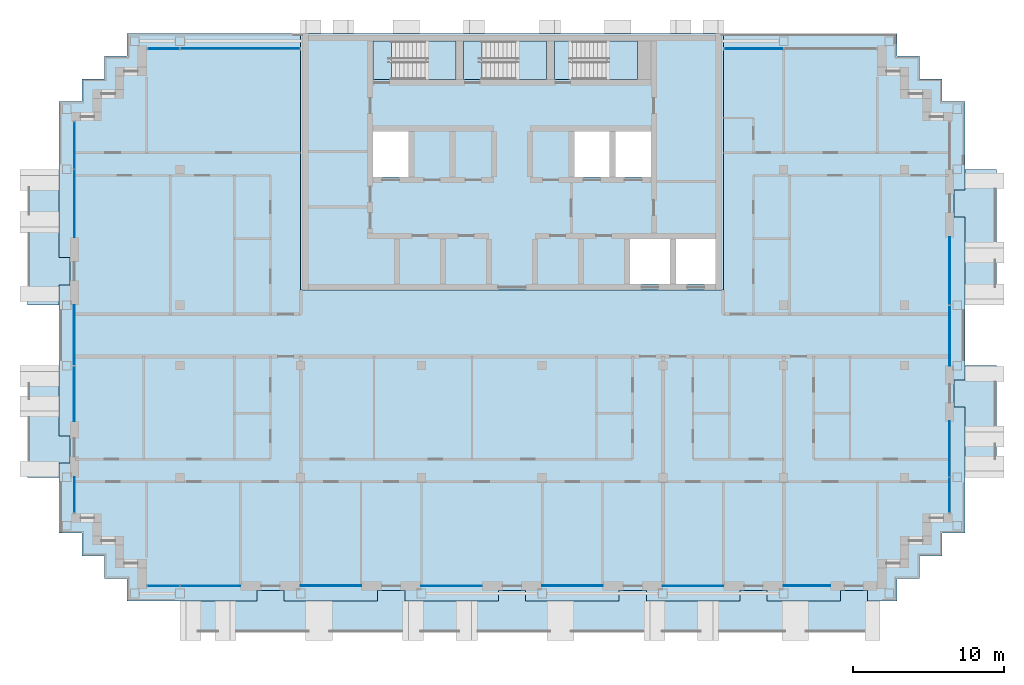
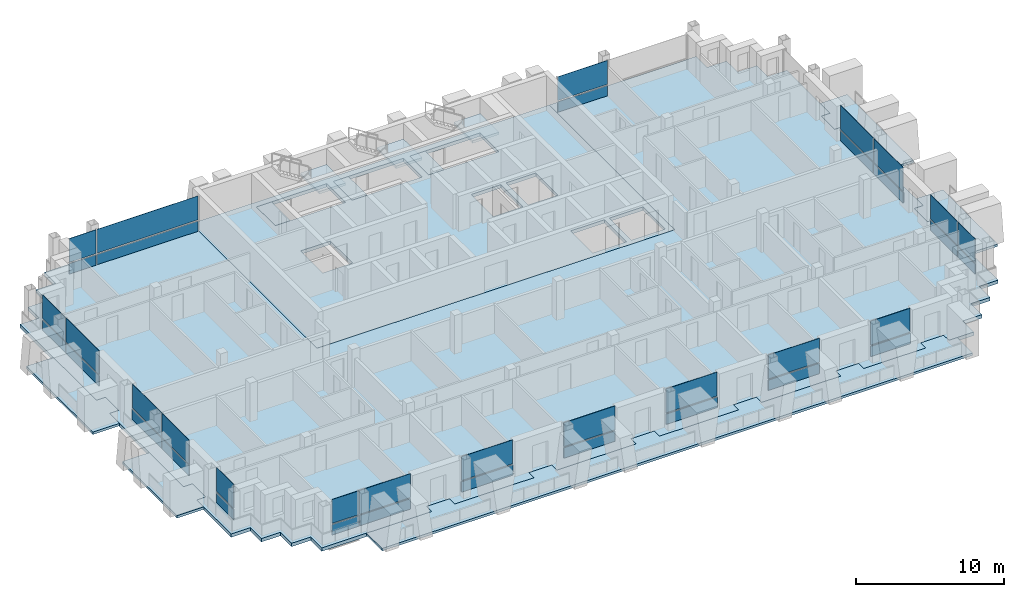
# One storey, part 6 of 16: 38 plates, 13 slabs, 16 elements without a shape of their own.
"""IFC4 building model written with IfcOpenShell, lengths in metres."""

from ifc_helpers import new_model, si_unit, direction, frame, origin, origin_2d, place, context, subcontext, project, spatial, polyline, rectangle, outline, extrude, material, layer, layer_set, type_object, element, aggregate, save


model = new_model("IFC4")

# Units and contexts
model_context = context("Model", 3, precision=1e-05, world=origin(), true_north=direction((0.0, 1.0)))
body_context = subcontext(model_context, "Body", "Model", "MODEL_VIEW")
ifc_project = project(units=[si_unit("LENGTHUNIT", "METRE"), si_unit("AREAUNIT", "SQUARE_METRE"), si_unit("VOLUMEUNIT", "CUBIC_METRE"), si_unit("PLANEANGLEUNIT", "RADIAN"), si_unit("MASSUNIT", "GRAM", prefix="KILO")], contexts=[model_context])

# Site, building, storey
site_placement = place(None, origin())
site = spatial("IfcSite", under=ifc_project, at=site_placement, CompositionType="ELEMENT")
building_placement = place(site_placement, origin())
building = spatial("IfcBuilding", under=site, at=building_placement, Name="Vidyagriha Tower", CompositionType="ELEMENT")
storey_placement = place(building_placement, frame((0.0, 0.0, 207.60009765625)))
storey = spatial("IfcBuildingStorey", under=building, at=storey_placement, Name="L53", CompositionType="ELEMENT", Elevation=207.60009765625)

# Curtain wall, plate
ifc_material_1 = material(Name="Aluminium and glass curtain wall", Category="aluminium")
curtain_wall_type = type_object("IfcCurtainWallType", Name="Dwelling skin unitised curtain wall", PredefinedType="USERDEFINED", material=ifc_material_1)
curtain_wall_1_placement = place(storey_placement, origin())
curtain_wall_1 = element("IfcCurtainWall", 1, at=curtain_wall_1_placement, inside=storey, type_object=curtain_wall_type, Name="CW1 dwelling skin", ObjectType="UNITISED", PredefinedType="USERDEFINED")
ifc_material_2 = material(Name="Glass dark ceramic-fritted spandrel", Category="glass")
ifc_layer_1 = layer(ifc_material_2, 0.0400390625)
ifc_layer_set_1 = layer_set([ifc_layer_1], Name="Glass dark ceramic-fritted spandrel")
plate_type_1 = type_object("IfcPlateType", Name="Ceramic-fritted spandrel panel", PredefinedType="CURTAIN_PANEL", material=ifc_layer_set_1)
plate_1_placement = place(storey_placement, frame((-18.017578125, 19.0, -0.000244140625), z_axis=(0.0, 0.0, 1.0), x_axis=(-1.0, 0.0, 0.0)))
plate_1 = element("IfcPlate", 2, at=plate_1_placement, type_object=plate_type_1, Name="CW1 panel 1.1", PredefinedType="CURTAIN_PANEL", context=body_context, shape_type="SweptSolid", body=[
    extrude(rectangle(XDim=7.89501953125, YDim=0.0400390625, at=origin_2d()), origin(), (0.0, 0.0, 1.0), 0.85009765625),
])

# Curtain wall, plates
curtain_wall_2_placement = place(storey_placement, origin())
curtain_wall_2 = element("IfcCurtainWall", 3, at=curtain_wall_2_placement, inside=storey, type_object=curtain_wall_type, Name="CW1 dwelling skin", ObjectType="UNITISED", PredefinedType="USERDEFINED")
plate_2_placement = place(storey_placement, frame((-29.0, 12.58251953125, -0.000244140625), z_axis=(0.0, 0.0, 1.0), x_axis=(0.0, -1.0, 0.0)))
plate_2 = element("IfcPlate", 4, at=plate_2_placement, type_object=plate_type_1, Name="CW1 panel 1.1", PredefinedType="CURTAIN_PANEL", context=body_context, shape_type="SweptSolid", body=[
    extrude(rectangle(XDim=3.094970703125, YDim=0.0400390625, at=origin_2d()), origin(), (0.0, 0.0, 1.0), 0.85009765625),
])
plate_3_placement = place(storey_placement, frame((-29.0, 8.732421875, -0.000244140625), z_axis=(0.0, 0.0, 1.0), x_axis=(0.0, -1.0, 0.0)))
plate_3 = element("IfcPlate", 5, at=plate_3_placement, type_object=plate_type_1, Name="CW1 panel 2.1", PredefinedType="CURTAIN_PANEL", context=body_context, shape_type="SweptSolid", body=[
    extrude(rectangle(XDim=4.465087890625, YDim=0.0400390625, at=origin_2d()), origin(), (0.0, 0.0, 1.0), 0.85009765625),
])

# Curtain wall, plate
curtain_wall_3_placement = place(storey_placement, origin())
curtain_wall_3 = element("IfcCurtainWall", 6, at=curtain_wall_3_placement, inside=storey, type_object=curtain_wall_type, Name="CW1 dwelling skin", ObjectType="UNITISED", PredefinedType="USERDEFINED")
plate_4_placement = place(storey_placement, frame((-29.0, -10.56494140625, -0.000244140625), z_axis=(0.0, 0.0, 1.0), x_axis=(0.0, -1.0, 0.0)))
plate_4 = element("IfcPlate", 7, at=plate_4_placement, type_object=plate_type_1, Name="CW1 panel 1.1", PredefinedType="CURTAIN_PANEL", context=body_context, shape_type="SweptSolid", body=[
    extrude(rectangle(XDim=2.330078125, YDim=0.0400390625, at=origin_2d()), origin(), (0.0, 0.0, 1.0), 0.85009765625),
])

# Curtain wall, plates
curtain_wall_4_placement = place(storey_placement, origin())
curtain_wall_4 = element("IfcCurtainWall", 8, at=curtain_wall_4_placement, inside=storey, type_object=curtain_wall_type, Name="CW1 dwelling skin", ObjectType="UNITISED", PredefinedType="USERDEFINED")
plate_5_placement = place(storey_placement, frame((-23.08251953125, -16.60009765625, -0.000244140625)))
plate_5 = element("IfcPlate", 9, at=plate_5_placement, type_object=plate_type_1, Name="CW1 panel 1.1", PredefinedType="CURTAIN_PANEL", context=body_context, shape_type="SweptSolid", body=[
    extrude(rectangle(XDim=2.094970703125, YDim=0.0400390625, at=origin_2d()), origin(), (0.0, 0.0, 1.0), 0.85009765625),
])
plate_6_placement = place(storey_placement, frame((-19.982421875, -16.60009765625, -0.000244140625)))
plate_6 = element("IfcPlate", 10, at=plate_6_placement, type_object=plate_type_1, Name="CW1 panel 2.1", PredefinedType="CURTAIN_PANEL", context=body_context, shape_type="SweptSolid", body=[
    extrude(rectangle(XDim=3.965087890625, YDim=0.0400390625, at=origin_2d()), origin(), (0.0, 0.0, 1.0), 0.85009765625),
])

# Curtain wall, plate
curtain_wall_5_placement = place(storey_placement, origin())
curtain_wall_5 = element("IfcCurtainWall", 11, at=curtain_wall_5_placement, inside=storey, type_object=curtain_wall_type, Name="CW1 dwelling skin", ObjectType="UNITISED", PredefinedType="USERDEFINED")
plate_7_placement = place(storey_placement, frame((-4.0, -16.60009765625, -0.000244140625)))
plate_7 = element("IfcPlate", 12, at=plate_7_placement, type_object=plate_type_1, Name="CW1 panel 1.1", PredefinedType="CURTAIN_PANEL", context=body_context, shape_type="SweptSolid", body=[
    extrude(rectangle(XDim=4.0, YDim=0.0400390625, at=origin_2d()), origin(), (0.0, 0.0, 1.0), 0.85009765625),
])

curtain_wall_6_placement = place(storey_placement, origin())
curtain_wall_6 = element("IfcCurtainWall", 13, at=curtain_wall_6_placement, inside=storey, type_object=curtain_wall_type, Name="CW1 dwelling skin", ObjectType="UNITISED", PredefinedType="USERDEFINED")
plate_8_placement = place(storey_placement, frame((12.0, -16.60009765625, -0.000244140625)))
plate_8 = element("IfcPlate", 14, at=plate_8_placement, type_object=plate_type_1, Name="CW1 panel 1.1", PredefinedType="CURTAIN_PANEL", context=body_context, shape_type="SweptSolid", body=[
    extrude(rectangle(XDim=4.0, YDim=0.0400390625, at=origin_2d()), origin(), (0.0, 0.0, 1.0), 0.85009765625),
])

# Curtain wall, plates
curtain_wall_7_placement = place(storey_placement, origin())
curtain_wall_7 = element("IfcCurtainWall", 15, at=curtain_wall_7_placement, inside=storey, type_object=curtain_wall_type, Name="CW1 dwelling skin", ObjectType="UNITISED", PredefinedType="USERDEFINED")
plate_9_placement = place(storey_placement, frame((29.0, -10.58251953125, -0.000244140625), z_axis=(0.0, 0.0, 1.0), x_axis=(0.0, 1.0, 0.0)))
plate_9 = element("IfcPlate", 16, at=plate_9_placement, type_object=plate_type_1, Name="CW1 panel 1.1", PredefinedType="CURTAIN_PANEL", context=body_context, shape_type="SweptSolid", body=[
    extrude(rectangle(XDim=2.294921875, YDim=0.0400390625, at=origin_2d()), origin(), (0.0, 0.0, 1.0), 0.85009765625),
])
plate_10_placement = place(storey_placement, frame((29.0, -7.532470703125, -0.000244140625), z_axis=(0.0, 0.0, 1.0), x_axis=(0.0, 1.0, 0.0)))
plate_10 = element("IfcPlate", 17, at=plate_10_placement, type_object=plate_type_1, Name="CW1 panel 2.1", PredefinedType="CURTAIN_PANEL", context=body_context, shape_type="SweptSolid", body=[
    extrude(rectangle(XDim=3.6650390625, YDim=0.0400390625, at=origin_2d()), origin(), (0.0, 0.0, 1.0), 0.85009765625),
])

# Slab
ifc_material_3 = material(Name="Concrete C60/75", Category="concrete")
ifc_layer_2 = layer(ifc_material_3, 0.280029296875)
ifc_layer_set_2 = layer_set([ifc_layer_2], Name="Concrete C60/75")
slab_type_1 = type_object("IfcSlabType", Name="Core floor slab 280 mm", PredefinedType="FLOOR", material=ifc_layer_set_2)
slab_1_placement = place(storey_placement, frame((0.0, 0.0, -0.280029296875)))
element("IfcSlab", 18, at=slab_1_placement, inside=storey, type_object=slab_type_1, Name="L53 core floor 1", PredefinedType="FLOOR", context=body_context, shape_type="SweptSolid", body=[
    extrude(outline(polyline([(-14.0, 3.0), (-14.0, 20.0), (14.0, 20.0), (14.0, 3.0), (-14.0, 3.0)]), holes=[polyline([(13.5, 6.39990234375), (10.855712890625, 6.39990234375), (10.855712890625, 3.39990234375), (13.5, 3.39990234375), (13.5, 6.39990234375)]), polyline([(10.45556640625, 6.39990234375), (7.81103515625, 6.39990234375), (7.81103515625, 3.39990234375), (10.45556640625, 3.39990234375), (10.45556640625, 6.39990234375)]), polyline([(9.199951171875, 13.5), (6.86669921875, 13.5), (6.86669921875, 10.5), (9.199951171875, 10.5), (9.199951171875, 13.5)]), polyline([(2.800048828125, 19.5), (2.800048828125, 16.949951171875), (4.0, 16.949951171875), (8.300048828125, 16.949951171875), (8.300048828125, 19.5), (4.0, 19.5), (2.800048828125, 19.5)]), polyline([(4.13330078125, 13.5), (4.13330078125, 10.5), (6.466796875, 10.5), (6.466796875, 13.5), (4.13330078125, 13.5)]), polyline([(-2.0, 19.5), (-3.199951171875, 19.5), (-3.199951171875, 16.949951171875), (-2.0, 16.949951171875), (2.300048828125, 16.949951171875), (2.300048828125, 19.5), (-2.0, 19.5)]), polyline([(-9.199951171875, 19.5), (-9.199951171875, 16.949951171875), (-8.0, 16.949951171875), (-3.699951171875, 16.949951171875), (-3.699951171875, 19.5), (-8.0, 19.5), (-9.199951171875, 19.5)]), polyline([(-9.199951171875, 13.5), (-9.199951171875, 10.5), (-6.86669921875, 10.5), (-6.86669921875, 13.5), (-9.199951171875, 13.5)])]), origin(), (0.0, 0.0, 1.0), 0.280029296875),
])

# Curtain wall, plate
curtain_wall_8_placement = place(storey_placement, origin())
curtain_wall_8 = element("IfcCurtainWall", 19, at=curtain_wall_8_placement, inside=storey, type_object=curtain_wall_type, Name="CW1 dwelling skin", ObjectType="UNITISED", PredefinedType="USERDEFINED")
ifc_material_4 = material(Name="Glass dark ceramic-fritted", Category="glass")
ifc_layer_3 = layer(ifc_material_4, 0.028076171875)
ifc_layer_set_3 = layer_set([ifc_layer_3], Name="Glass dark ceramic-fritted")
plate_type_2 = type_object("IfcPlateType", Name="Dark ceramic-fritted vision glass panel", PredefinedType="CURTAIN_PANEL", material=ifc_layer_set_3)
plate_11_placement = place(storey_placement, frame((16.017578125, 19.0, 0.94970703125), z_axis=(0.0, 0.0, 1.0), x_axis=(-1.0, 0.0, 0.0)))
plate_11 = element("IfcPlate", 20, at=plate_11_placement, type_object=plate_type_2, Name="CW1 panel 2.2", PredefinedType="CURTAIN_PANEL", context=body_context, shape_type="SweptSolid", body=[
    extrude(rectangle(XDim=3.89501953125, YDim=0.028076171875, at=origin_2d()), origin(), (0.0, 0.0, 1.0), 1.969970703125),
])

# Plate
plate_12_placement = place(storey_placement, frame((-18.017578125, 19.0, 0.94970703125), z_axis=(0.0, 0.0, 1.0), x_axis=(-1.0, 0.0, 0.0)))
plate_12 = element("IfcPlate", 21, at=plate_12_placement, type_object=plate_type_2, Name="CW1 panel 1.2", PredefinedType="CURTAIN_PANEL", context=body_context, shape_type="SweptSolid", body=[
    extrude(rectangle(XDim=7.89501953125, YDim=0.028076171875, at=origin_2d()), origin(), (0.0, 0.0, 1.0), 1.969970703125),
])

plate_13_placement = place(storey_placement, frame((-23.08251953125, 19.0, 0.94970703125), z_axis=(0.0, 0.0, 1.0), x_axis=(-1.0, 0.0, 0.0)))
plate_13 = element("IfcPlate", 22, at=plate_13_placement, type_object=plate_type_2, Name="CW1 panel 2.2", PredefinedType="CURTAIN_PANEL", context=body_context, shape_type="SweptSolid", body=[
    extrude(rectangle(XDim=2.094970703125, YDim=0.028076171875, at=origin_2d()), origin(), (0.0, 0.0, 1.0), 1.969970703125),
])

plate_14_placement = place(storey_placement, frame((-29.0, 12.58251953125, 0.94970703125), z_axis=(0.0, 0.0, 1.0), x_axis=(0.0, -1.0, 0.0)))
plate_14 = element("IfcPlate", 23, at=plate_14_placement, type_object=plate_type_2, Name="CW1 panel 1.2", PredefinedType="CURTAIN_PANEL", context=body_context, shape_type="SweptSolid", body=[
    extrude(rectangle(XDim=3.094970703125, YDim=0.028076171875, at=origin_2d()), origin(), (0.0, 0.0, 1.0), 1.969970703125),
])

plate_15_placement = place(storey_placement, frame((-29.0, 8.732421875, 0.94970703125), z_axis=(0.0, 0.0, 1.0), x_axis=(0.0, -1.0, 0.0)))
plate_15 = element("IfcPlate", 24, at=plate_15_placement, type_object=plate_type_2, Name="CW1 panel 2.2", PredefinedType="CURTAIN_PANEL", context=body_context, shape_type="SweptSolid", body=[
    extrude(rectangle(XDim=4.465087890625, YDim=0.028076171875, at=origin_2d()), origin(), (0.0, 0.0, 1.0), 1.969970703125),
])

aggregate(curtain_wall_2, [plate_2, plate_14, plate_3, plate_15])

# Curtain wall, plates
curtain_wall_9_placement = place(storey_placement, origin())
curtain_wall_9 = element("IfcCurtainWall", 25, at=curtain_wall_9_placement, inside=storey, type_object=curtain_wall_type, Name="CW1 dwelling skin", ObjectType="UNITISED", PredefinedType="USERDEFINED")
plate_16_placement = place(storey_placement, frame((-29.0, 0.017578125, 0.94970703125), z_axis=(0.0, 0.0, 1.0), x_axis=(0.0, -1.0, 0.0)))
plate_16 = element("IfcPlate", 26, at=plate_16_placement, type_object=plate_type_2, Name="CW1 panel 1.2", PredefinedType="CURTAIN_PANEL", context=body_context, shape_type="SweptSolid", body=[
    extrude(rectangle(XDim=3.965087890625, YDim=0.028076171875, at=origin_2d()), origin(), (0.0, 0.0, 1.0), 1.969970703125),
])
plate_17_placement = place(storey_placement, frame((-29.0, -3.867431640625, 0.94970703125), z_axis=(0.0, 0.0, 1.0), x_axis=(0.0, -1.0, 0.0)))
plate_17 = element("IfcPlate", 27, at=plate_17_placement, type_object=plate_type_2, Name="CW1 panel 2.2", PredefinedType="CURTAIN_PANEL", context=body_context, shape_type="SweptSolid", body=[
    extrude(rectangle(XDim=3.6650390625, YDim=0.028076171875, at=origin_2d()), origin(), (0.0, 0.0, 1.0), 1.969970703125),
])

# Plate
plate_18_placement = place(storey_placement, frame((-29.0, -10.56494140625, 0.94970703125), z_axis=(0.0, 0.0, 1.0), x_axis=(0.0, -1.0, 0.0)))
plate_18 = element("IfcPlate", 28, at=plate_18_placement, type_object=plate_type_2, Name="CW1 panel 1.2", PredefinedType="CURTAIN_PANEL", context=body_context, shape_type="SweptSolid", body=[
    extrude(rectangle(XDim=2.330078125, YDim=0.028076171875, at=origin_2d()), origin(), (0.0, 0.0, 1.0), 1.969970703125),
])

aggregate(curtain_wall_3, [plate_4, plate_18])

plate_19_placement = place(storey_placement, frame((-23.08251953125, -16.60009765625, 0.94970703125)))
plate_19 = element("IfcPlate", 29, at=plate_19_placement, type_object=plate_type_2, Name="CW1 panel 1.2", PredefinedType="CURTAIN_PANEL", context=body_context, shape_type="SweptSolid", body=[
    extrude(rectangle(XDim=2.094970703125, YDim=0.028076171875, at=origin_2d()), origin(), (0.0, 0.0, 1.0), 1.969970703125),
])

plate_20_placement = place(storey_placement, frame((-19.982421875, -16.60009765625, 0.94970703125)))
plate_20 = element("IfcPlate", 30, at=plate_20_placement, type_object=plate_type_2, Name="CW1 panel 2.2", PredefinedType="CURTAIN_PANEL", context=body_context, shape_type="SweptSolid", body=[
    extrude(rectangle(XDim=3.965087890625, YDim=0.028076171875, at=origin_2d()), origin(), (0.0, 0.0, 1.0), 1.969970703125),
])

aggregate(curtain_wall_4, [plate_5, plate_19, plate_6, plate_20])

# Curtain wall, plate
curtain_wall_10_placement = place(storey_placement, origin())
curtain_wall_10 = element("IfcCurtainWall", 31, at=curtain_wall_10_placement, inside=storey, type_object=curtain_wall_type, Name="CW1 dwelling skin", ObjectType="UNITISED", PredefinedType="USERDEFINED")
plate_21_placement = place(storey_placement, frame((-12.0, -16.60009765625, 0.94970703125)))
plate_21 = element("IfcPlate", 32, at=plate_21_placement, type_object=plate_type_2, Name="CW1 panel 1.2", PredefinedType="CURTAIN_PANEL", context=body_context, shape_type="SweptSolid", body=[
    extrude(rectangle(XDim=4.0, YDim=0.028076171875, at=origin_2d()), origin(), (0.0, 0.0, 1.0), 1.969970703125),
])

# Plate
plate_22_placement = place(storey_placement, frame((-4.0, -16.60009765625, 0.94970703125)))
plate_22 = element("IfcPlate", 33, at=plate_22_placement, type_object=plate_type_2, Name="CW1 panel 1.2", PredefinedType="CURTAIN_PANEL", context=body_context, shape_type="SweptSolid", body=[
    extrude(rectangle(XDim=4.0, YDim=0.028076171875, at=origin_2d()), origin(), (0.0, 0.0, 1.0), 1.969970703125),
])

aggregate(curtain_wall_5, [plate_7, plate_22])

# Curtain wall, plate
curtain_wall_11_placement = place(storey_placement, origin())
curtain_wall_11 = element("IfcCurtainWall", 34, at=curtain_wall_11_placement, inside=storey, type_object=curtain_wall_type, Name="CW1 dwelling skin", ObjectType="UNITISED", PredefinedType="USERDEFINED")
plate_23_placement = place(storey_placement, frame((4.0, -16.60009765625, 0.94970703125)))
plate_23 = element("IfcPlate", 35, at=plate_23_placement, type_object=plate_type_2, Name="CW1 panel 1.2", PredefinedType="CURTAIN_PANEL", context=body_context, shape_type="SweptSolid", body=[
    extrude(rectangle(XDim=4.0, YDim=0.028076171875, at=origin_2d()), origin(), (0.0, 0.0, 1.0), 1.969970703125),
])

# Plate
plate_24_placement = place(storey_placement, frame((12.0, -16.60009765625, 0.94970703125)))
plate_24 = element("IfcPlate", 36, at=plate_24_placement, type_object=plate_type_2, Name="CW1 panel 1.2", PredefinedType="CURTAIN_PANEL", context=body_context, shape_type="SweptSolid", body=[
    extrude(rectangle(XDim=4.0, YDim=0.028076171875, at=origin_2d()), origin(), (0.0, 0.0, 1.0), 1.969970703125),
])

aggregate(curtain_wall_6, [plate_8, plate_24])

# Curtain wall, plate
curtain_wall_12_placement = place(storey_placement, origin())
curtain_wall_12 = element("IfcCurtainWall", 37, at=curtain_wall_12_placement, inside=storey, type_object=curtain_wall_type, Name="CW1 dwelling skin", ObjectType="UNITISED", PredefinedType="USERDEFINED")
plate_25_placement = place(storey_placement, frame((19.550048828125, -16.60009765625, 0.94970703125)))
plate_25 = element("IfcPlate", 38, at=plate_25_placement, type_object=plate_type_2, Name="CW1 panel 1.2", PredefinedType="CURTAIN_PANEL", context=body_context, shape_type="SweptSolid", body=[
    extrude(rectangle(XDim=3.10009765625, YDim=0.028076171875, at=origin_2d()), origin(), (0.0, 0.0, 1.0), 1.969970703125),
])

# Plate
plate_26_placement = place(storey_placement, frame((29.0, -10.58251953125, 0.94970703125), z_axis=(0.0, 0.0, 1.0), x_axis=(0.0, 1.0, 0.0)))
plate_26 = element("IfcPlate", 39, at=plate_26_placement, type_object=plate_type_2, Name="CW1 panel 1.2", PredefinedType="CURTAIN_PANEL", context=body_context, shape_type="SweptSolid", body=[
    extrude(rectangle(XDim=2.294921875, YDim=0.028076171875, at=origin_2d()), origin(), (0.0, 0.0, 1.0), 1.969970703125),
])

plate_27_placement = place(storey_placement, frame((29.0, -7.532470703125, 0.94970703125), z_axis=(0.0, 0.0, 1.0), x_axis=(0.0, 1.0, 0.0)))
plate_27 = element("IfcPlate", 40, at=plate_27_placement, type_object=plate_type_2, Name="CW1 panel 2.2", PredefinedType="CURTAIN_PANEL", context=body_context, shape_type="SweptSolid", body=[
    extrude(rectangle(XDim=3.6650390625, YDim=0.028076171875, at=origin_2d()), origin(), (0.0, 0.0, 1.0), 1.969970703125),
])

aggregate(curtain_wall_7, [plate_9, plate_26, plate_10, plate_27])

# Curtain wall, plates
curtain_wall_13_placement = place(storey_placement, origin())
curtain_wall_13 = element("IfcCurtainWall", 41, at=curtain_wall_13_placement, inside=storey, type_object=curtain_wall_type, Name="CW1 dwelling skin", ObjectType="UNITISED", PredefinedType="USERDEFINED")
plate_28_placement = place(storey_placement, frame((29.0, -0.017578125, 0.94970703125), z_axis=(0.0, 0.0, 1.0), x_axis=(0.0, 1.0, 0.0)))
plate_28 = element("IfcPlate", 42, at=plate_28_placement, type_object=plate_type_2, Name="CW1 panel 1.2", PredefinedType="CURTAIN_PANEL", context=body_context, shape_type="SweptSolid", body=[
    extrude(rectangle(XDim=3.965087890625, YDim=0.028076171875, at=origin_2d()), origin(), (0.0, 0.0, 1.0), 1.969970703125),
])
plate_29_placement = place(storey_placement, frame((29.0, 4.267578125, 0.94970703125), z_axis=(0.0, 0.0, 1.0), x_axis=(0.0, 1.0, 0.0)))
plate_29 = element("IfcPlate", 43, at=plate_29_placement, type_object=plate_type_2, Name="CW1 panel 2.2", PredefinedType="CURTAIN_PANEL", context=body_context, shape_type="SweptSolid", body=[
    extrude(rectangle(XDim=4.465087890625, YDim=0.028076171875, at=origin_2d()), origin(), (0.0, 0.0, 1.0), 1.969970703125),
])

# Slabs
ifc_material_5 = material(Name="Concrete C40/50", Category="concrete")
ifc_layer_4 = layer(ifc_material_5, 0.280029296875)
ifc_layer_set_4 = layer_set([ifc_layer_4], Name="Concrete C40/50")
slab_type_2 = type_object("IfcSlabType", Name="Exit stair floor landing 280 mm", PredefinedType="LANDING", material=ifc_layer_set_4)
slab_2_placement = place(storey_placement, frame((0.0, 0.0, -0.280029296875)))
element("IfcSlab", 44, at=slab_2_placement, inside=storey, type_object=slab_type_2, Name="ST1 floor landing L53", PredefinedType="LANDING", context=body_context, shape_type="SweptSolid", body=[
    extrude(outline(polyline([(-9.199951171875, 16.949951171875), (-8.0, 16.949951171875), (-8.0, 19.5), (-9.199951171875, 19.5), (-9.199951171875, 16.949951171875)])), origin(), (0.0, 0.0, 1.0), 0.280029296875),
])
slab_3_placement = place(storey_placement, frame((0.0, 0.0, -0.280029296875)))
element("IfcSlab", 45, at=slab_3_placement, inside=storey, type_object=slab_type_2, Name="ST2 floor landing L53", PredefinedType="LANDING", context=body_context, shape_type="SweptSolid", body=[
    extrude(outline(polyline([(-3.199951171875, 16.949951171875), (-2.0, 16.949951171875), (-2.0, 19.5), (-3.199951171875, 19.5), (-3.199951171875, 16.949951171875)])), origin(), (0.0, 0.0, 1.0), 0.280029296875),
])
slab_4_placement = place(storey_placement, frame((0.0, 0.0, -0.280029296875)))
element("IfcSlab", 46, at=slab_4_placement, inside=storey, type_object=slab_type_2, Name="ST3 floor landing L53", PredefinedType="LANDING", context=body_context, shape_type="SweptSolid", body=[
    extrude(outline(polyline([(2.800048828125, 16.949951171875), (4.0, 16.949951171875), (4.0, 19.5), (2.800048828125, 19.5), (2.800048828125, 16.949951171875)])), origin(), (0.0, 0.0, 1.0), 0.280029296875),
])

# Stair, slab
ifc_material_6 = material(Name="Concrete C40/50", Category="concrete")
stair_type = type_object("IfcStairType", Name="Exit stair, half-turn, precast flights", PredefinedType="HALF_TURN_STAIR", material=ifc_material_6)
stair_1_placement = place(storey_placement, origin())
stair_1 = element("IfcStair", 47, at=stair_1_placement, inside=storey, type_object=stair_type, Name="L53 Exit Stair ST1", PredefinedType="HALF_TURN_STAIR")
ifc_material_7 = material(Name="Concrete C40/50", Category="concrete")
ifc_layer_5 = layer(ifc_material_7, 0.199951171875)
ifc_layer_set_5 = layer_set([ifc_layer_5], Name="Concrete C40/50")
slab_type_3 = type_object("IfcSlabType", Name="Exit stair landing 200 mm", PredefinedType="LANDING", material=ifc_layer_set_5)
slab_5_placement = place(storey_placement, frame((0.0, 0.0, 1.39990234375)))
slab_5 = element("IfcSlab", 48, at=slab_5_placement, type_object=slab_type_3, Name="ST1 landing 1", PredefinedType="LANDING", context=body_context, shape_type="SweptSolid", body=[
    extrude(outline(polyline([(-5.760009765625, 16.949951171875), (-3.699951171875, 16.949951171875), (-3.699951171875, 19.5), (-5.760009765625, 19.5), (-5.760009765625, 16.949951171875)])), origin(), (0.0, 0.0, 1.0), 0.199951171875),
])
aggregate(stair_1, [slab_5])

stair_2_placement = place(storey_placement, origin())
stair_2 = element("IfcStair", 49, at=stair_2_placement, inside=storey, type_object=stair_type, Name="L53 Exit Stair ST2", PredefinedType="HALF_TURN_STAIR")
slab_6_placement = place(storey_placement, frame((0.0, 0.0, 1.39990234375)))
slab_6 = element("IfcSlab", 50, at=slab_6_placement, type_object=slab_type_3, Name="ST2 landing 1", PredefinedType="LANDING", context=body_context, shape_type="SweptSolid", body=[
    extrude(outline(polyline([(0.239990234375, 16.949951171875), (2.300048828125, 16.949951171875), (2.300048828125, 19.5), (0.239990234375, 19.5), (0.239990234375, 16.949951171875)])), origin(), (0.0, 0.0, 1.0), 0.199951171875),
])
aggregate(stair_2, [slab_6])

stair_3_placement = place(storey_placement, origin())
stair_3 = element("IfcStair", 51, at=stair_3_placement, inside=storey, type_object=stair_type, Name="L53 Exit Stair ST3", PredefinedType="HALF_TURN_STAIR")
slab_7_placement = place(storey_placement, frame((0.0, 0.0, 1.39990234375)))
slab_7 = element("IfcSlab", 52, at=slab_7_placement, type_object=slab_type_3, Name="ST3 landing 1", PredefinedType="LANDING", context=body_context, shape_type="SweptSolid", body=[
    extrude(outline(polyline([(6.239990234375, 16.949951171875), (8.300048828125, 16.949951171875), (8.300048828125, 19.5), (6.239990234375, 19.5), (6.239990234375, 16.949951171875)])), origin(), (0.0, 0.0, 1.0), 0.199951171875),
])
aggregate(stair_3, [slab_7])

# Plate
ifc_material_8 = material(Name="Aluminium black anodised", Category="aluminium")
ifc_layer_6 = layer(ifc_material_8, 0.06005859375)
ifc_layer_set_6 = layer_set([ifc_layer_6], Name="Aluminium black anodised")
plate_type_3 = type_object("IfcPlateType", Name="Operable black-metal vent panel", PredefinedType="CURTAIN_PANEL", material=ifc_layer_set_6)
plate_30_placement = place(storey_placement, frame((16.017578125, 19.0, -0.000244140625), z_axis=(0.0, 0.0, 1.0), x_axis=(-1.0, 0.0, 0.0)))
plate_30 = element("IfcPlate", 53, at=plate_30_placement, type_object=plate_type_3, Name="CW1 panel 2.1", PredefinedType="CURTAIN_PANEL", context=body_context, shape_type="SweptSolid", body=[
    extrude(rectangle(XDim=3.89501953125, YDim=0.06005859375, at=origin_2d()), origin(), (0.0, 0.0, 1.0), 0.85009765625),
])

aggregate(curtain_wall_8, [plate_30, plate_11])

plate_31_placement = place(storey_placement, frame((-23.08251953125, 19.0, -0.000244140625), z_axis=(0.0, 0.0, 1.0), x_axis=(-1.0, 0.0, 0.0)))
plate_31 = element("IfcPlate", 54, at=plate_31_placement, type_object=plate_type_3, Name="CW1 panel 2.1", PredefinedType="CURTAIN_PANEL", context=body_context, shape_type="SweptSolid", body=[
    extrude(rectangle(XDim=2.094970703125, YDim=0.06005859375, at=origin_2d()), origin(), (0.0, 0.0, 1.0), 0.85009765625),
])

aggregate(curtain_wall_1, [plate_1, plate_12, plate_31, plate_13])

plate_32_placement = place(storey_placement, frame((-29.0, 0.017578125, -0.000244140625), z_axis=(0.0, 0.0, 1.0), x_axis=(0.0, -1.0, 0.0)))
plate_32 = element("IfcPlate", 55, at=plate_32_placement, type_object=plate_type_3, Name="CW1 panel 1.1", PredefinedType="CURTAIN_PANEL", context=body_context, shape_type="SweptSolid", body=[
    extrude(rectangle(XDim=3.965087890625, YDim=0.06005859375, at=origin_2d()), origin(), (0.0, 0.0, 1.0), 0.85009765625),
])

plate_33_placement = place(storey_placement, frame((-29.0, -3.867431640625, -0.000244140625), z_axis=(0.0, 0.0, 1.0), x_axis=(0.0, -1.0, 0.0)))
plate_33 = element("IfcPlate", 56, at=plate_33_placement, type_object=plate_type_3, Name="CW1 panel 2.1", PredefinedType="CURTAIN_PANEL", context=body_context, shape_type="SweptSolid", body=[
    extrude(rectangle(XDim=3.6650390625, YDim=0.06005859375, at=origin_2d()), origin(), (0.0, 0.0, 1.0), 0.85009765625),
])

aggregate(curtain_wall_9, [plate_32, plate_16, plate_33, plate_17])

plate_34_placement = place(storey_placement, frame((-12.0, -16.60009765625, -0.000244140625)))
plate_34 = element("IfcPlate", 57, at=plate_34_placement, type_object=plate_type_3, Name="CW1 panel 1.1", PredefinedType="CURTAIN_PANEL", context=body_context, shape_type="SweptSolid", body=[
    extrude(rectangle(XDim=4.0, YDim=0.06005859375, at=origin_2d()), origin(), (0.0, 0.0, 1.0), 0.85009765625),
])

aggregate(curtain_wall_10, [plate_34, plate_21])

plate_35_placement = place(storey_placement, frame((4.0, -16.60009765625, -0.000244140625)))
plate_35 = element("IfcPlate", 58, at=plate_35_placement, type_object=plate_type_3, Name="CW1 panel 1.1", PredefinedType="CURTAIN_PANEL", context=body_context, shape_type="SweptSolid", body=[
    extrude(rectangle(XDim=4.0, YDim=0.06005859375, at=origin_2d()), origin(), (0.0, 0.0, 1.0), 0.85009765625),
])

aggregate(curtain_wall_11, [plate_35, plate_23])

plate_36_placement = place(storey_placement, frame((19.550048828125, -16.60009765625, -0.000244140625)))
plate_36 = element("IfcPlate", 59, at=plate_36_placement, type_object=plate_type_3, Name="CW1 panel 1.1", PredefinedType="CURTAIN_PANEL", context=body_context, shape_type="SweptSolid", body=[
    extrude(rectangle(XDim=3.10009765625, YDim=0.06005859375, at=origin_2d()), origin(), (0.0, 0.0, 1.0), 0.85009765625),
])

aggregate(curtain_wall_12, [plate_36, plate_25])

plate_37_placement = place(storey_placement, frame((29.0, -0.017578125, -0.000244140625), z_axis=(0.0, 0.0, 1.0), x_axis=(0.0, 1.0, 0.0)))
plate_37 = element("IfcPlate", 60, at=plate_37_placement, type_object=plate_type_3, Name="CW1 panel 1.1", PredefinedType="CURTAIN_PANEL", context=body_context, shape_type="SweptSolid", body=[
    extrude(rectangle(XDim=3.965087890625, YDim=0.06005859375, at=origin_2d()), origin(), (0.0, 0.0, 1.0), 0.85009765625),
])

plate_38_placement = place(storey_placement, frame((29.0, 4.267578125, -0.000244140625), z_axis=(0.0, 0.0, 1.0), x_axis=(0.0, 1.0, 0.0)))
plate_38 = element("IfcPlate", 61, at=plate_38_placement, type_object=plate_type_3, Name="CW1 panel 2.1", PredefinedType="CURTAIN_PANEL", context=body_context, shape_type="SweptSolid", body=[
    extrude(rectangle(XDim=4.465087890625, YDim=0.06005859375, at=origin_2d()), origin(), (0.0, 0.0, 1.0), 0.85009765625),
])

aggregate(curtain_wall_13, [plate_37, plate_28, plate_38, plate_29])

# Slabs
ifc_material_9 = material(Name="Concrete C50/60", Category="concrete")
ifc_layer_7 = layer(ifc_material_9, 0.280029296875)
ifc_layer_set_7 = layer_set([ifc_layer_7], Name="Concrete C50/60")
slab_type_4 = type_object("IfcSlabType", Name="Post-tensioned flat plate 280", PredefinedType="FLOOR", material=ifc_layer_set_7)
slab_8_placement = place(storey_placement, frame((0.0, 0.0, -0.280029296875)))
element("IfcSlab", 62, at=slab_8_placement, inside=storey, type_object=slab_type_4, Name="st-slab-L53-1", PredefinedType="FLOOR", context=body_context, shape_type="SweptSolid", body=[
    extrude(outline(polyline([(28.5, -14.60009765625), (27.0, -14.60009765625), (27.0, -16.10009765625), (25.5, -16.10009765625), (25.5, -17.60009765625), (23.550048828125, -17.60009765625), (23.550048828125, -16.89990234375), (21.75, -16.89990234375), (21.75, -17.60009765625), (16.89990234375, -17.60009765625), (16.89990234375, -16.89990234375), (15.10009765625, -16.89990234375), (15.10009765625, -17.60009765625), (8.89990234375, -17.60009765625), (8.89990234375, -16.89990234375), (7.10009765625, -16.89990234375), (7.10009765625, -17.60009765625), (0.89990234375, -17.60009765625), (0.89990234375, -16.89990234375), (-0.89990234375, -16.89990234375), (-0.89990234375, -17.60009765625), (-7.10009765625, -17.60009765625), (-7.10009765625, -16.89990234375), (-8.89990234375, -16.89990234375), (-8.89990234375, -17.60009765625), (-15.10009765625, -17.60009765625), (-15.10009765625, -16.89990234375), (-16.89990234375, -16.89990234375), (-16.89990234375, -17.60009765625), (-25.5, -17.60009765625), (-25.5, -16.10009765625), (-27.0, -16.10009765625), (-27.0, -14.60009765625), (-28.5, -14.60009765625), (-28.5, -13.10009765625), (-30.0, -13.10009765625), (-30.0, -8.449951171875), (-29.300048828125, -8.449951171875), (-29.300048828125, -6.64990234375), (-30.0, -6.64990234375), (-30.0, 3.35009765625), (-29.300048828125, 3.35009765625), (-29.300048828125, 5.14990234375), (-30.0, 5.14990234375), (-30.0, 15.5), (-28.5, 15.5), (-28.5, 17.0), (-27.0, 17.0), (-27.0, 18.5), (-25.5, 18.5), (-25.5, 20.0), (-14.0, 20.0), (-14.0, 3.0), (14.0, 3.0), (14.0, 20.0), (25.5, 20.0), (25.5, 18.5), (27.0, 18.5), (27.0, 17.0), (28.5, 17.0), (28.5, 15.5), (30.0, 15.5), (30.0, 9.64990234375), (29.300048828125, 9.64990234375), (29.300048828125, 7.85009765625), (30.0, 7.85009765625), (30.0, -2.949951171875), (29.300048828125, -2.949951171875), (29.300048828125, -4.75), (30.0, -4.75), (30.0, -13.10009765625), (28.5, -13.10009765625), (28.5, -14.60009765625)])), origin(), (0.0, 0.0, 1.0), 0.280029296875),
])
ifc_material_10 = material(Name="Precast concrete C40/50", Category="concrete")
ifc_layer_8 = layer(ifc_material_10, 0.199951171875)
ifc_layer_set_8 = layer_set([ifc_layer_8], Name="Precast concrete C40/50")
slab_type_5 = type_object("IfcSlabType", Name="Precast balcony slab 200", PredefinedType="USERDEFINED", material=ifc_layer_set_8)
slab_9_placement = place(storey_placement, frame((0.0, 0.0, -0.2001953125)))
element("IfcSlab", 63, at=slab_9_placement, inside=storey, type_object=slab_type_5, Name="Balcony slab L53 R16.1-1", ObjectType="BALCONY", PredefinedType="USERDEFINED", context=body_context, shape_type="SweptSolid", body=[
    extrude(outline(polyline([(-29.300048828125, 3.35009765625), (-29.300048828125, 5.14990234375), (-30.0, 5.14990234375), (-30.0, 11.0), (-32.10009765625, 11.0), (-32.10009765625, 2.0), (-30.0, 2.0), (-30.0, 3.35009765625), (-29.300048828125, 3.35009765625)])), origin(), (0.0, 0.0, 1.0), 0.2001953125),
])
slab_10_placement = place(storey_placement, frame((0.0, 0.0, -0.2001953125)))
element("IfcSlab", 64, at=slab_10_placement, inside=storey, type_object=slab_type_5, Name="Balcony slab L53 R16.2-2", ObjectType="BALCONY", PredefinedType="USERDEFINED", context=body_context, shape_type="SweptSolid", body=[
    extrude(outline(polyline([(-29.300048828125, -8.449951171875), (-29.300048828125, -6.64990234375), (-30.0, -6.64990234375), (-30.0, -2.0), (-32.10009765625, -2.0), (-32.10009765625, -9.39990234375), (-30.0, -9.39990234375), (-30.0, -8.449951171875), (-29.300048828125, -8.449951171875)])), origin(), (0.0, 0.0, 1.0), 0.2001953125),
])
slab_11_placement = place(storey_placement, frame((0.0, 0.0, -0.2001953125)))
element("IfcSlab", 65, at=slab_11_placement, inside=storey, type_object=slab_type_5, Name="Balcony slab L53 R23.1-6", ObjectType="BALCONY", PredefinedType="USERDEFINED", context=body_context, shape_type="SweptSolid", body=[
    extrude(outline(polyline([(-16.89990234375, -16.89990234375), (-16.89990234375, -17.60009765625), (-22.0, -17.60009765625), (-22.0, -19.699951171875), (24.199951171875, -19.699951171875), (24.199951171875, -17.60009765625), (23.550048828125, -17.60009765625), (23.550048828125, -16.89990234375), (21.75, -16.89990234375), (21.75, -17.60009765625), (16.89990234375, -17.60009765625), (16.89990234375, -16.89990234375), (15.10009765625, -16.89990234375), (15.10009765625, -17.60009765625), (8.89990234375, -17.60009765625), (8.89990234375, -16.89990234375), (7.10009765625, -16.89990234375), (7.10009765625, -17.60009765625), (0.89990234375, -17.60009765625), (0.89990234375, -16.89990234375), (-0.89990234375, -16.89990234375), (-0.89990234375, -17.60009765625), (-7.10009765625, -17.60009765625), (-7.10009765625, -16.89990234375), (-8.89990234375, -16.89990234375), (-8.89990234375, -17.60009765625), (-15.10009765625, -17.60009765625), (-15.10009765625, -16.89990234375), (-16.89990234375, -16.89990234375)])), origin(), (0.0, 0.0, 1.0), 0.2001953125),
])
slab_12_placement = place(storey_placement, frame((0.0, 0.0, -0.2001953125)))
element("IfcSlab", 66, at=slab_12_placement, inside=storey, type_object=slab_type_5, Name="Balcony slab L53 R30.1-1", ObjectType="BALCONY", PredefinedType="USERDEFINED", context=body_context, shape_type="SweptSolid", body=[
    extrude(outline(polyline([(30.0, -4.75), (30.0, -9.39990234375), (32.10009765625, -9.39990234375), (32.10009765625, -2.0), (30.0, -2.0), (30.0, -2.949951171875), (29.300048828125, -2.949951171875), (29.300048828125, -4.75), (30.0, -4.75)])), origin(), (0.0, 0.0, 1.0), 0.2001953125),
])
slab_13_placement = place(storey_placement, frame((0.0, 0.0, -0.2001953125)))
element("IfcSlab", 67, at=slab_13_placement, inside=storey, type_object=slab_type_5, Name="Balcony slab L53 R30.2-2", ObjectType="BALCONY", PredefinedType="USERDEFINED", context=body_context, shape_type="SweptSolid", body=[
    extrude(outline(polyline([(30.0, 7.85009765625), (30.0, 2.0), (32.10009765625, 2.0), (32.10009765625, 11.0), (30.0, 11.0), (30.0, 9.64990234375), (29.300048828125, 9.64990234375), (29.300048828125, 7.85009765625), (30.0, 7.85009765625)])), origin(), (0.0, 0.0, 1.0), 0.2001953125),
])

save(model, "model.ifc")
